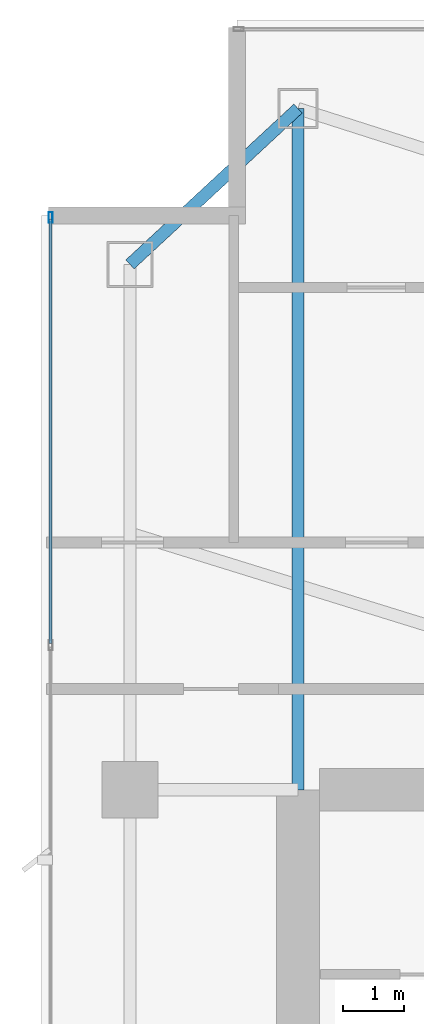
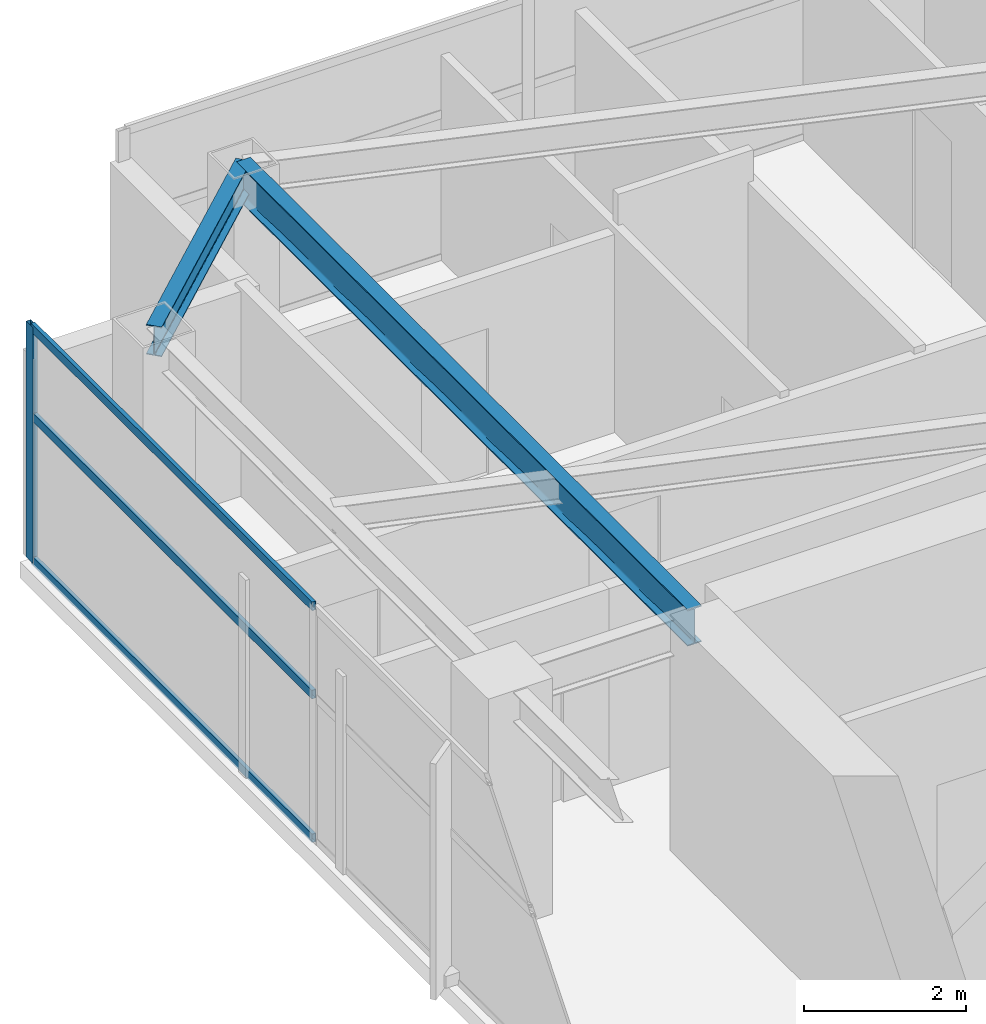
# One storey, part 17 of 29: 4 members, 2 beams, 1 element without a shape of its own.
"""IFC4 building model written with IfcOpenShell, lengths in metres."""

from ifc_helpers import new_model, si_unit, direction, frame, origin, origin_2d, place, context, subcontext, project, spatial, hollow_rectangle, i_section, extrude, material, layer, layer_set, material_profile, profile_set, type_object, element, aggregate, save


model = new_model("IFC4")

# Units and contexts
model_context = context("Model", 3, precision=1e-05, world=origin(), true_north=direction((0.0, 1.0)))
body_context = subcontext(model_context, "Body", "Model", "MODEL_VIEW")
ifc_project = project(units=[si_unit("LENGTHUNIT", "METRE"), si_unit("AREAUNIT", "SQUARE_METRE"), si_unit("VOLUMEUNIT", "CUBIC_METRE"), si_unit("PLANEANGLEUNIT", "RADIAN"), si_unit("MASSUNIT", "GRAM", prefix="KILO")], contexts=[model_context])

# Site, building, storey
site_placement = place(None, origin())
site = spatial("IfcSite", under=ifc_project, at=site_placement, CompositionType="ELEMENT")
building_placement = place(site_placement, origin())
building = spatial("IfcBuilding", under=site, at=building_placement, Name="Calvorn Quay Hotel", CompositionType="ELEMENT")
storey_placement = place(building_placement, frame((0.0, 0.0, 255.199951171875)))
storey = spatial("IfcBuildingStorey", under=building, at=storey_placement, Name="L63", CompositionType="ELEMENT", Elevation=255.199951171875)

# Beams
ifc_material_1 = material(Name="Steel Q355B", Category="steel")
ifc_material_profile_1 = material_profile(ifc_material_1, i_section(OverallWidth=0.199951171875, OverallDepth=0.550048828125, WebThickness=0.010009765625, FlangeThickness=0.01611328125, FilletRadius=0.01806640625, at=origin_2d()), Name="HN550x200x10x16")
ifc_profile_set_1 = profile_set([ifc_material_profile_1], Name="Steel Q355B")
beam_type_1 = type_object("IfcBeamType", Name="BM-GIRD-UPP", PredefinedType="BEAM", material=ifc_profile_set_1)
beam_1_placement = place(storey_placement, frame((4.199951171875, 49.550048828125, 3.26513671875), z_axis=(0.0, -1.0, 0.0), x_axis=(1.0, 0.0, 0.0)))
element("IfcBeam", 1, at=beam_1_placement, inside=storey, type_object=beam_type_1, Name="Beam BG-L63-W5", PredefinedType="BEAM", context=body_context, shape_type="SweptSolid", body=[
    extrude(i_section(OverallWidth=0.199951171875, OverallDepth=0.550048828125, WebThickness=0.010009765625, FlangeThickness=0.01611328125, FilletRadius=0.01806640625, at=origin_2d()), origin(), (0.0, 0.0, 1.0), 11.150146484375),
])
ifc_material_2 = material(Name="Steel Q355B", Category="steel")
ifc_material_profile_2 = material_profile(ifc_material_2, i_section(OverallWidth=0.199951171875, OverallDepth=0.449951171875, WebThickness=0.009033203125, FlangeThickness=0.013916015625, FilletRadius=0.01611328125, at=origin_2d()), Name="HN450x200x9x14")
ifc_profile_set_2 = profile_set([ifc_material_profile_2], Name="Steel Q355B")
beam_type_2 = type_object("IfcBeamType", Name="BM-SPANDREL-Z3", PredefinedType="SPANDREL", material=ifc_profile_set_2)
beam_2_placement = place(storey_placement, frame((1.449951171875, 47.0, 3.31494140625), z_axis=(0.733261665538, 0.679946563969, 0.0), x_axis=(-0.679946563969, 0.733261665538, 0.0)))
element("IfcBeam", 2, at=beam_2_placement, inside=storey, type_object=beam_type_2, Name="Beam BSP-L63-W5", PredefinedType="SPANDREL", context=body_context, shape_type="SweptSolid", body=[
    extrude(i_section(OverallWidth=0.199951171875, OverallDepth=0.449951171875, WebThickness=0.009033203125, FlangeThickness=0.013916015625, FilletRadius=0.01611328125, at=origin_2d()), origin(), (0.0, 0.0, 1.0), 3.75048828125),
])

# Curtain wall, members
ifc_material_3 = material(Name="Champagne Bronze Anodised Aluminium and Low-E Glass", Category="aluminium")
ifc_layer = layer(ifc_material_3, 0.219970703125)
ifc_layer_set = layer_set([ifc_layer], Name="CW-SYS-Z4")
curtain_wall_type = type_object("IfcCurtainWallType", Name="CW-SYS-Z4", PredefinedType="NOTDEFINED", material=ifc_layer_set)
curtain_wall_placement = place(storey_placement, origin())
curtain_wall = element("IfcCurtainWall", 3, at=curtain_wall_placement, inside=storey, type_object=curtain_wall_type, Name="Tower West Curtain Wall (L63)", PredefinedType="NOTDEFINED")
ifc_material_4 = material(Name="Champagne Bronze Anodised Aluminium 6063-T6", Category="aluminium")
ifc_material_profile_3 = material_profile(ifc_material_4, hollow_rectangle(XDim=0.06494140625, YDim=0.169921875, WallThickness=0.00341796875, at=origin_2d()), Name="ALU-M170x65x3.5")
ifc_profile_set_3 = profile_set([ifc_material_profile_3], Name="Champagne Bronze Anodised Aluminium 6063-T6")
member_type_1 = type_object("IfcMemberType", Name="CW-SYS-Z4-MUL", PredefinedType="MULLION", material=ifc_profile_set_3)
member_1_placement = place(storey_placement, frame((0.14990234375, 47.77001953125, 0.0), z_axis=(0.0, 0.0, 1.0), x_axis=(-1.0, 0.0, 0.0)))
member_1 = element("IfcMember", 4, at=member_1_placement, type_object=member_type_1, Name="CW-L63-W mullion 7", PredefinedType="MULLION", context=body_context, shape_type="SweptSolid", body=[
    extrude(hollow_rectangle(XDim=0.06494140625, YDim=0.169921875, WallThickness=0.00341796875, at=origin_2d()), origin(), (0.0, 0.0, 1.0), 3.56005859375),
])
ifc_material_5 = material(Name="Champagne Bronze Anodised Aluminium 6063-T6", Category="aluminium")
ifc_material_profile_4 = material_profile(ifc_material_5, hollow_rectangle(XDim=0.054931640625, YDim=0.1298828125, WallThickness=0.003173828125, at=origin_2d()), Name="ALU-T130x55x3.2")
ifc_profile_set_4 = profile_set([ifc_material_profile_4], Name="Champagne Bronze Anodised Aluminium 6063-T6")
member_type_2 = type_object("IfcMemberType", Name="CW-SYS-Z4-TRN", PredefinedType="USERDEFINED", material=ifc_profile_set_4)
member_2_placement = place(storey_placement, frame((0.14990234375, 40.796630859375, 0.030029296875), z_axis=(0.0, 1.0, 0.0), x_axis=(-1.0, 0.0, 0.0)))
member_2 = element("IfcMember", 5, at=member_2_placement, type_object=member_type_2, Name="CW-L63-W transom 6.1", ObjectType="TRANSOM", PredefinedType="USERDEFINED", context=body_context, shape_type="SweptSolid", body=[
    extrude(hollow_rectangle(XDim=0.054931640625, YDim=0.1298828125, WallThickness=0.003173828125, at=origin_2d()), origin(), (0.0, 0.0, 1.0), 6.943359375),
])
member_3_placement = place(storey_placement, frame((0.14990234375, 40.796630859375, 2.199951171875), z_axis=(0.0, 1.0, 0.0), x_axis=(-1.0, 0.0, 0.0)))
member_3 = element("IfcMember", 6, at=member_3_placement, type_object=member_type_2, Name="CW-L63-W transom 6.2", ObjectType="TRANSOM", PredefinedType="USERDEFINED", context=body_context, shape_type="SweptSolid", body=[
    extrude(hollow_rectangle(XDim=0.054931640625, YDim=0.1298828125, WallThickness=0.003173828125, at=origin_2d()), origin(), (0.0, 0.0, 1.0), 6.943359375),
])
member_4_placement = place(storey_placement, frame((0.14990234375, 40.796630859375, 3.530029296875), z_axis=(0.0, 1.0, 0.0), x_axis=(-1.0, 0.0, 0.0)))
member_4 = element("IfcMember", 7, at=member_4_placement, type_object=member_type_2, Name="CW-L63-W transom 6.3", ObjectType="TRANSOM", PredefinedType="USERDEFINED", context=body_context, shape_type="SweptSolid", body=[
    extrude(hollow_rectangle(XDim=0.054931640625, YDim=0.1298828125, WallThickness=0.003173828125, at=origin_2d()), origin(), (0.0, 0.0, 1.0), 6.943359375),
])
aggregate(curtain_wall, [member_1, member_2, member_3, member_4])

save(model, "model.ifc")
